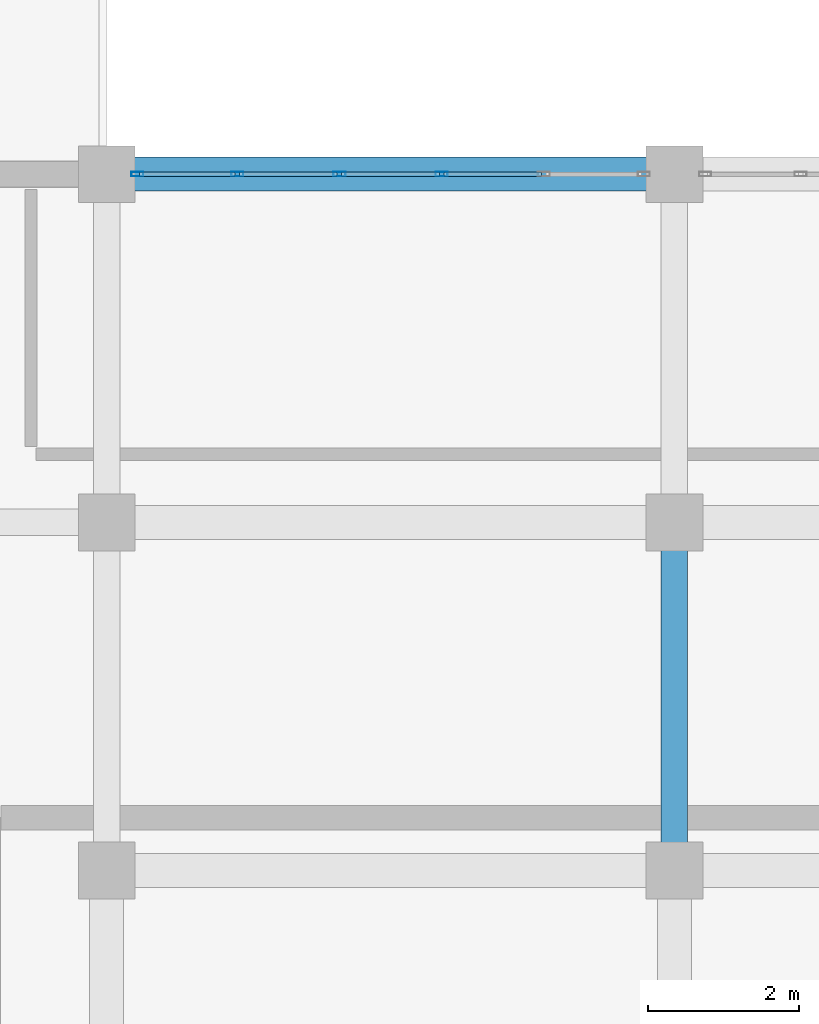
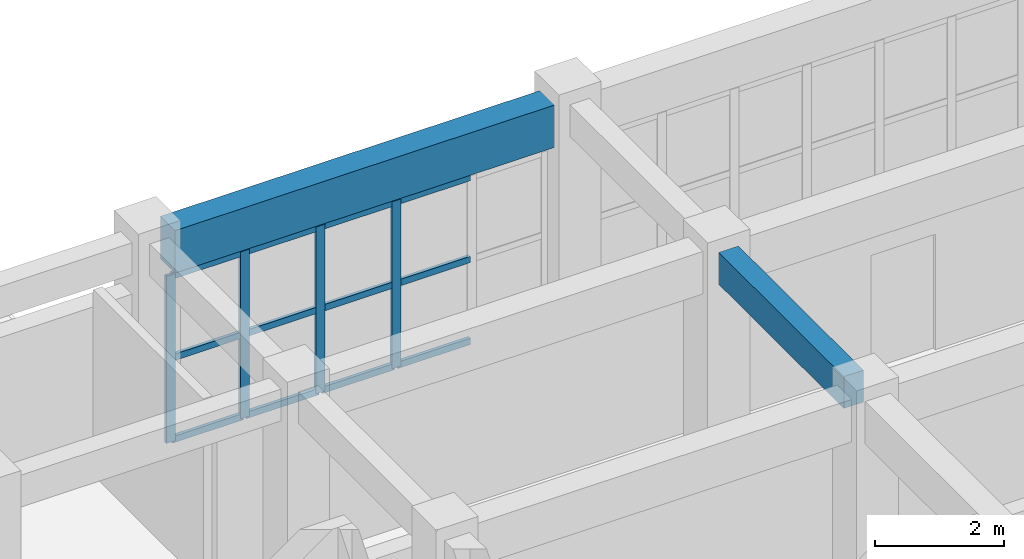
# One storey, part 3 of 90: 16 members, 2 beams, 1 element without a shape of its own.
"""IFC4 building model written with IfcOpenShell, lengths in metres."""

from ifc_helpers import new_model, si_unit, direction, frame, origin, origin_2d, place, context, subcontext, project, spatial, rectangle, hollow_rectangle, extrude, material, layer, layer_set, material_profile, profile_set, type_object, element, aggregate, save


model = new_model("IFC4")

# Units and contexts
model_context = context("Model", 3, precision=1e-05, world=origin(), true_north=direction((0.0, 1.0)))
body_context = subcontext(model_context, "Body", "Model", "MODEL_VIEW")
ifc_project = project(units=[si_unit("LENGTHUNIT", "METRE"), si_unit("AREAUNIT", "SQUARE_METRE"), si_unit("VOLUMEUNIT", "CUBIC_METRE"), si_unit("PLANEANGLEUNIT", "RADIAN"), si_unit("MASSUNIT", "GRAM", prefix="KILO")], contexts=[model_context])

# Site, building, storey
site_placement = place(None, origin())
site = spatial("IfcSite", under=ifc_project, at=site_placement, CompositionType="ELEMENT")
building_placement = place(site_placement, origin())
building = spatial("IfcBuilding", under=site, at=building_placement, Name="Muzn Square Opera House", CompositionType="ELEMENT")
storey_placement = place(building_placement, frame((0.0, 0.0, 9.800048828125)))
storey = spatial("IfcBuildingStorey", under=building, at=storey_placement, Name="L02", CompositionType="ELEMENT", Elevation=9.800048828125)

# Curtain wall, members
ifc_material_1 = material(Name="Low-E laminated acoustic double glazing", Category="glass")
ifc_layer = layer(ifc_material_1, 0.159912109375, Name="Low-E laminated acoustic double glazing", Category="glass")
ifc_layer_set = layer_set([ifc_layer], Name="Low-E laminated acoustic double glazing")
curtain_wall_type = type_object("IfcCurtainWallType", Name="Glazed Curtain Wall WestCloisterS 6750x3150", PredefinedType="USERDEFINED", material=ifc_layer_set)
curtain_wall_placement = place(storey_placement, origin())
curtain_wall = element("IfcCurtainWall", 1, at=curtain_wall_placement, inside=storey, type_object=curtain_wall_type, Name="Glazed Curtain Wall CW-L02-093", ObjectType="GLAZED CURTAIN WALL", PredefinedType="USERDEFINED")
ifc_material_2 = material(Name="Anodised bronze aluminium 6063-T6", Category="metal")
ifc_material_profile_1 = material_profile(ifc_material_2, hollow_rectangle(XDim=0.06005859375, YDim=0.159912109375, WallThickness=0.00390625, at=origin_2d()), Name="ALU 160x60x4", Category="metal")
ifc_profile_set_1 = profile_set([ifc_material_profile_1], Name="Anodised bronze aluminium 6063-T6")
member_type_1 = type_object("IfcMemberType", Name="Curtain Wall Mullion 160x60", PredefinedType="MULLION", material=ifc_profile_set_1)
member_1_placement = place(storey_placement, frame((19.405029296875, 31.199951171875, 0.0), z_axis=(0.0, 0.0, 1.0), x_axis=(0.0, 1.0, 0.0)))
member_1 = element("IfcMember", 2, at=member_1_placement, type_object=member_type_1, Name="CW-WCS-67x31 mullion 1", PredefinedType="MULLION", context=body_context, shape_type="SweptSolid", body=[
    extrude(hollow_rectangle(XDim=0.06005859375, YDim=0.159912109375, WallThickness=0.00390625, at=origin_2d()), origin(), (0.0, 0.0, 1.0), 3.14990234375),
])
member_2_placement = place(storey_placement, frame((20.72509765625, 31.199951171875, 0.0), z_axis=(0.0, 0.0, 1.0), x_axis=(0.0, 1.0, 0.0)))
member_2 = element("IfcMember", 3, at=member_2_placement, type_object=member_type_1, Name="CW-WCS-67x31 mullion 2", PredefinedType="MULLION", context=body_context, shape_type="SweptSolid", body=[
    extrude(hollow_rectangle(XDim=0.06005859375, YDim=0.159912109375, WallThickness=0.00390625, at=origin_2d()), origin(), (0.0, 0.0, 1.0), 3.14990234375),
])
member_3_placement = place(storey_placement, frame((22.074951171875, 31.199951171875, 0.0), z_axis=(0.0, 0.0, 1.0), x_axis=(0.0, 1.0, 0.0)))
member_3 = element("IfcMember", 4, at=member_3_placement, type_object=member_type_1, Name="CW-WCS-67x31 mullion 3", PredefinedType="MULLION", context=body_context, shape_type="SweptSolid", body=[
    extrude(hollow_rectangle(XDim=0.06005859375, YDim=0.159912109375, WallThickness=0.00390625, at=origin_2d()), origin(), (0.0, 0.0, 1.0), 3.14990234375),
])
member_4_placement = place(storey_placement, frame((23.425048828125, 31.199951171875, 0.0), z_axis=(0.0, 0.0, 1.0), x_axis=(0.0, 1.0, 0.0)))
member_4 = element("IfcMember", 5, at=member_4_placement, type_object=member_type_1, Name="CW-WCS-67x31 mullion 4", PredefinedType="MULLION", context=body_context, shape_type="SweptSolid", body=[
    extrude(hollow_rectangle(XDim=0.06005859375, YDim=0.159912109375, WallThickness=0.00390625, at=origin_2d()), origin(), (0.0, 0.0, 1.0), 3.14990234375),
])
ifc_material_profile_2 = material_profile(ifc_material_2, hollow_rectangle(XDim=0.06005859375, YDim=0.1201171875, WallThickness=0.00390625, at=origin_2d()), Name="ALU 120x60x4", Category="metal")
ifc_profile_set_2 = profile_set([ifc_material_profile_2], Name="Anodised bronze aluminium 6063-T6")
member_type_2 = type_object("IfcMemberType", Name="Curtain Wall Transom 120x60", PredefinedType="USERDEFINED", material=ifc_profile_set_2)
member_5_placement = place(storey_placement, frame((19.43505859375, 31.199951171875, 0.030029296875), z_axis=(1.0, 0.0, 0.0), x_axis=(0.0, 1.0, 0.0)))
member_5 = element("IfcMember", 6, at=member_5_placement, type_object=member_type_2, Name="CW-WCS-67x31 transom 1.1", ObjectType="TRANSOM", PredefinedType="USERDEFINED", context=body_context, shape_type="SweptSolid", body=[
    extrude(hollow_rectangle(XDim=0.06005859375, YDim=0.1201171875, WallThickness=0.00390625, at=origin_2d()), origin(), (0.0, 0.0, 1.0), 1.260009765625),
])
member_6_placement = place(storey_placement, frame((19.43505859375, 31.199951171875, 1.574951171875), z_axis=(1.0, 0.0, 0.0), x_axis=(0.0, 1.0, 0.0)))
member_6 = element("IfcMember", 7, at=member_6_placement, type_object=member_type_2, Name="CW-WCS-67x31 transom 1.2", ObjectType="TRANSOM", PredefinedType="USERDEFINED", context=body_context, shape_type="SweptSolid", body=[
    extrude(hollow_rectangle(XDim=0.06005859375, YDim=0.1201171875, WallThickness=0.00390625, at=origin_2d()), origin(), (0.0, 0.0, 1.0), 1.260009765625),
])
member_7_placement = place(storey_placement, frame((19.43505859375, 31.199951171875, 3.119873046875), z_axis=(1.0, 0.0, 0.0), x_axis=(0.0, 1.0, 0.0)))
member_7 = element("IfcMember", 8, at=member_7_placement, type_object=member_type_2, Name="CW-WCS-67x31 transom 1.3", ObjectType="TRANSOM", PredefinedType="USERDEFINED", context=body_context, shape_type="SweptSolid", body=[
    extrude(hollow_rectangle(XDim=0.06005859375, YDim=0.1201171875, WallThickness=0.00390625, at=origin_2d()), origin(), (0.0, 0.0, 1.0), 1.260009765625),
])
member_8_placement = place(storey_placement, frame((20.7548828125, 31.199951171875, 0.030029296875), z_axis=(1.0, 0.0, 0.0), x_axis=(0.0, 1.0, 0.0)))
member_8 = element("IfcMember", 9, at=member_8_placement, type_object=member_type_2, Name="CW-WCS-67x31 transom 2.1", ObjectType="TRANSOM", PredefinedType="USERDEFINED", context=body_context, shape_type="SweptSolid", body=[
    extrude(hollow_rectangle(XDim=0.06005859375, YDim=0.1201171875, WallThickness=0.00390625, at=origin_2d()), origin(), (0.0, 0.0, 1.0), 1.2900390625),
])
member_9_placement = place(storey_placement, frame((20.7548828125, 31.199951171875, 1.574951171875), z_axis=(1.0, 0.0, 0.0), x_axis=(0.0, 1.0, 0.0)))
member_9 = element("IfcMember", 10, at=member_9_placement, type_object=member_type_2, Name="CW-WCS-67x31 transom 2.2", ObjectType="TRANSOM", PredefinedType="USERDEFINED", context=body_context, shape_type="SweptSolid", body=[
    extrude(hollow_rectangle(XDim=0.06005859375, YDim=0.1201171875, WallThickness=0.00390625, at=origin_2d()), origin(), (0.0, 0.0, 1.0), 1.2900390625),
])
member_10_placement = place(storey_placement, frame((20.7548828125, 31.199951171875, 3.119873046875), z_axis=(1.0, 0.0, 0.0), x_axis=(0.0, 1.0, 0.0)))
member_10 = element("IfcMember", 11, at=member_10_placement, type_object=member_type_2, Name="CW-WCS-67x31 transom 2.3", ObjectType="TRANSOM", PredefinedType="USERDEFINED", context=body_context, shape_type="SweptSolid", body=[
    extrude(hollow_rectangle(XDim=0.06005859375, YDim=0.1201171875, WallThickness=0.00390625, at=origin_2d()), origin(), (0.0, 0.0, 1.0), 1.2900390625),
])
member_11_placement = place(storey_placement, frame((22.10498046875, 31.199951171875, 0.030029296875), z_axis=(1.0, 0.0, 0.0), x_axis=(0.0, 1.0, 0.0)))
member_11 = element("IfcMember", 12, at=member_11_placement, type_object=member_type_2, Name="CW-WCS-67x31 transom 3.1", ObjectType="TRANSOM", PredefinedType="USERDEFINED", context=body_context, shape_type="SweptSolid", body=[
    extrude(hollow_rectangle(XDim=0.06005859375, YDim=0.1201171875, WallThickness=0.00390625, at=origin_2d()), origin(), (0.0, 0.0, 1.0), 1.2900390625),
])
member_12_placement = place(storey_placement, frame((22.10498046875, 31.199951171875, 1.574951171875), z_axis=(1.0, 0.0, 0.0), x_axis=(0.0, 1.0, 0.0)))
member_12 = element("IfcMember", 13, at=member_12_placement, type_object=member_type_2, Name="CW-WCS-67x31 transom 3.2", ObjectType="TRANSOM", PredefinedType="USERDEFINED", context=body_context, shape_type="SweptSolid", body=[
    extrude(hollow_rectangle(XDim=0.06005859375, YDim=0.1201171875, WallThickness=0.00390625, at=origin_2d()), origin(), (0.0, 0.0, 1.0), 1.2900390625),
])
member_13_placement = place(storey_placement, frame((22.10498046875, 31.199951171875, 3.119873046875), z_axis=(1.0, 0.0, 0.0), x_axis=(0.0, 1.0, 0.0)))
member_13 = element("IfcMember", 14, at=member_13_placement, type_object=member_type_2, Name="CW-WCS-67x31 transom 3.3", ObjectType="TRANSOM", PredefinedType="USERDEFINED", context=body_context, shape_type="SweptSolid", body=[
    extrude(hollow_rectangle(XDim=0.06005859375, YDim=0.1201171875, WallThickness=0.00390625, at=origin_2d()), origin(), (0.0, 0.0, 1.0), 1.2900390625),
])
member_14_placement = place(storey_placement, frame((23.455078125, 31.199951171875, 0.030029296875), z_axis=(1.0, 0.0, 0.0), x_axis=(0.0, 1.0, 0.0)))
member_14 = element("IfcMember", 15, at=member_14_placement, type_object=member_type_2, Name="CW-WCS-67x31 transom 4.1", ObjectType="TRANSOM", PredefinedType="USERDEFINED", context=body_context, shape_type="SweptSolid", body=[
    extrude(hollow_rectangle(XDim=0.06005859375, YDim=0.1201171875, WallThickness=0.00390625, at=origin_2d()), origin(), (0.0, 0.0, 1.0), 1.2900390625),
])
member_15_placement = place(storey_placement, frame((23.455078125, 31.199951171875, 1.574951171875), z_axis=(1.0, 0.0, 0.0), x_axis=(0.0, 1.0, 0.0)))
member_15 = element("IfcMember", 16, at=member_15_placement, type_object=member_type_2, Name="CW-WCS-67x31 transom 4.2", ObjectType="TRANSOM", PredefinedType="USERDEFINED", context=body_context, shape_type="SweptSolid", body=[
    extrude(hollow_rectangle(XDim=0.06005859375, YDim=0.1201171875, WallThickness=0.00390625, at=origin_2d()), origin(), (0.0, 0.0, 1.0), 1.2900390625),
])
member_16_placement = place(storey_placement, frame((23.455078125, 31.199951171875, 3.119873046875), z_axis=(1.0, 0.0, 0.0), x_axis=(0.0, 1.0, 0.0)))
member_16 = element("IfcMember", 17, at=member_16_placement, type_object=member_type_2, Name="CW-WCS-67x31 transom 4.3", ObjectType="TRANSOM", PredefinedType="USERDEFINED", context=body_context, shape_type="SweptSolid", body=[
    extrude(hollow_rectangle(XDim=0.06005859375, YDim=0.1201171875, WallThickness=0.00390625, at=origin_2d()), origin(), (0.0, 0.0, 1.0), 1.2900390625),
])
aggregate(curtain_wall, [member_1, member_2, member_3, member_4, member_5, member_6, member_7, member_8, member_9, member_10, member_11, member_12, member_13, member_14, member_15, member_16])

# Beams
ifc_material_3 = material(Name="Concrete C40/50", Category="concrete")
ifc_material_profile_3 = material_profile(ifc_material_3, rectangle(XDim=0.35009765625, YDim=0.60009765625, at=origin_2d()), Name="RCB 350x600", Category="concrete")
ifc_profile_set_3 = profile_set([ifc_material_profile_3], Name="Concrete C40/50")
beam_type_1 = type_object("IfcBeamType", Name="Primary Girder 350x600", PredefinedType="BEAM", material=ifc_profile_set_3)
beam_1_placement = place(storey_placement, frame((26.5, 22.366943359375, 3.849853515625), z_axis=(0.0, 1.0, 0.0), x_axis=(-1.0, 0.0, 0.0)))
element("IfcBeam", 18, at=beam_1_placement, inside=storey, type_object=beam_type_1, Name="Primary Girder BM-L02-BM-PG600-265_224_265_262-2132", PredefinedType="BEAM", context=body_context, shape_type="SweptSolid", body=[
    extrude(rectangle(XDim=0.35009765625, YDim=0.60009765625, at=origin_2d()), origin(), (0.0, 0.0, 1.0), 3.865966796875),
])
ifc_material_profile_4 = material_profile(ifc_material_3, rectangle(XDim=0.449951171875, YDim=0.800048828125, at=origin_2d()), Name="RCB 450x800", Category="concrete")
ifc_profile_set_4 = profile_set([ifc_material_profile_4], Name="Concrete C40/50")
beam_type_2 = type_object("IfcBeamType", Name="Primary Girder 450x800", PredefinedType="BEAM", material=ifc_profile_set_4)
beam_2_placement = place(storey_placement, frame((19.366943359375, 31.199951171875, 3.719970703125), z_axis=(1.0, 0.0, 0.0), x_axis=(0.0, 1.0, 0.0)))
element("IfcBeam", 19, at=beam_2_placement, inside=storey, type_object=beam_type_2, Name="Primary Girder BM-L02-BM-PG800-194_312_261_312-1981", PredefinedType="BEAM", context=body_context, shape_type="SweptSolid", body=[
    extrude(rectangle(XDim=0.449951171875, YDim=0.800048828125, at=origin_2d()), origin(), (0.0, 0.0, 1.0), 6.76611328125),
])

save(model, "model.ifc")
